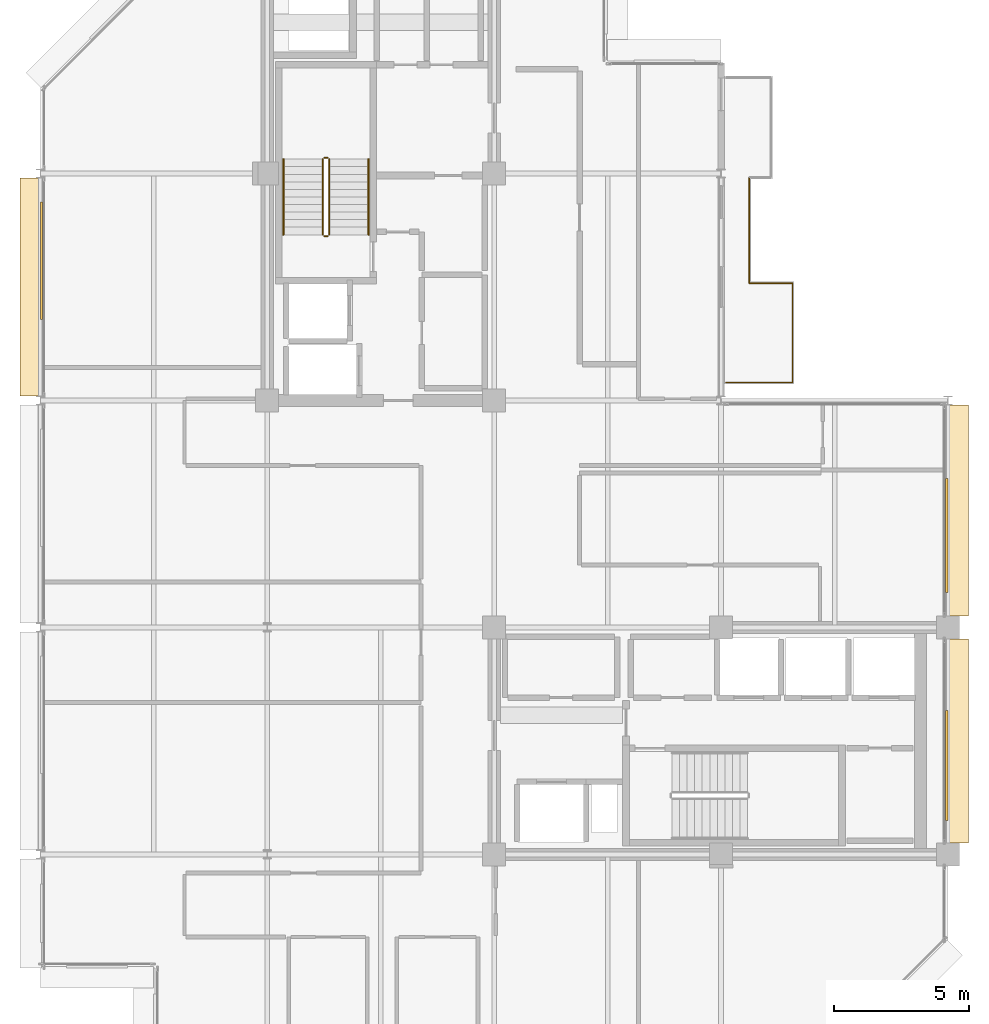
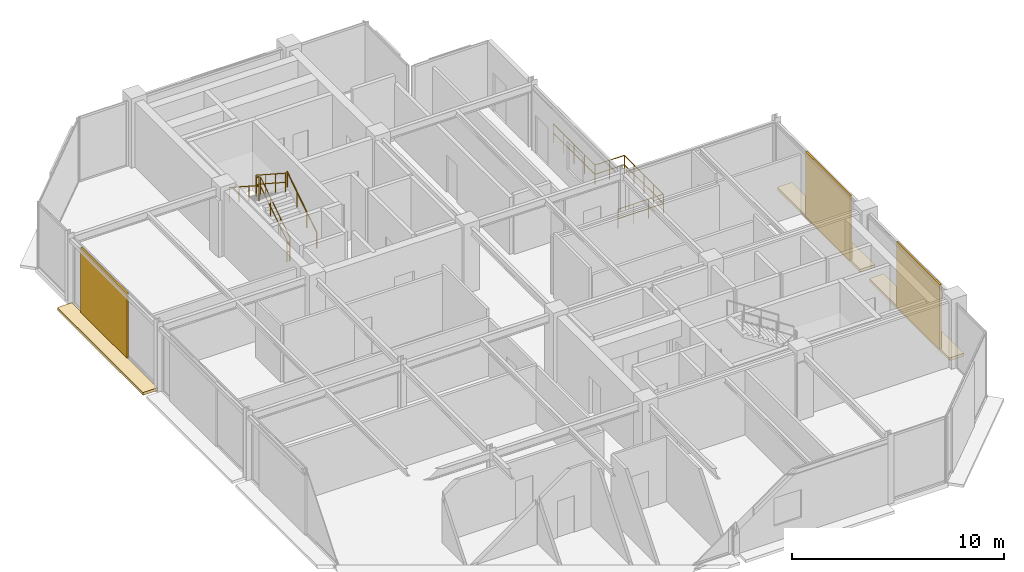
# One storey, part 24 of 25: 10 railings, 6 coverings.
"""IFC4 building model written with IfcOpenShell, lengths in metres."""

from ifc_helpers import new_model, si_unit, direction, frame, origin, origin_2d, place, context, subcontext, project, spatial, polyline, rectangle, circle, outline, extrude, material, layer, layer_set, type_object, element, save


model = new_model("IFC4")

# Units and contexts
model_context = context("Model", 3, precision=1e-05, world=origin(), true_north=direction((0.0, 1.0)))
body_context = subcontext(model_context, "Body", "Model", "MODEL_VIEW")
ifc_project = project(units=[si_unit("LENGTHUNIT", "METRE"), si_unit("AREAUNIT", "SQUARE_METRE"), si_unit("VOLUMEUNIT", "CUBIC_METRE"), si_unit("PLANEANGLEUNIT", "RADIAN"), si_unit("MASSUNIT", "GRAM", prefix="KILO")], contexts=[model_context])

# Site, building, storey
site_placement = place(None, origin())
site = spatial("IfcSite", under=ifc_project, at=site_placement, CompositionType="ELEMENT")
building_placement = place(site_placement, origin())
building = spatial("IfcBuilding", under=site, at=building_placement, Name="Nerrivon Quay Data Exchange", CompositionType="ELEMENT")
storey_placement = place(building_placement, frame((0.0, 0.0, 290.199951171875)))
storey = spatial("IfcBuildingStorey", under=building, at=storey_placement, Name="L69", CompositionType="ELEMENT", Elevation=290.199951171875)

# Coverings
ifc_material_1 = material(Name="Architectural terracotta ceramic", Category="masonry")
ifc_layer_1 = layer(ifc_material_1, 0.159912109375)
ifc_layer_set_1 = layer_set([ifc_layer_1], Name="Architectural terracotta ceramic")
covering_type_1 = type_object("IfcCoveringType", Name="COV-BLD-TERR", PredefinedType="CLADDING", material=ifc_layer_set_1)
covering_1_placement = place(storey_placement, frame((0.0, 0.0, -0.159912109375)))
element("IfcCovering", 1, at=covering_1_placement, inside=storey, type_object=covering_type_1, Name="L69 Horizontal Terracotta SOLAR SCREEN Blade", PredefinedType="CLADDING", context=body_context, shape_type="SweptSolid", body=[
    extrude(outline(polyline([(0.0400390625, 25.363525390625), (0.0400390625, 33.4365234375), (-0.75, 33.4365234375), (-0.75, 25.363525390625), (0.0400390625, 25.363525390625)])), origin(), (0.0, 0.0, 1.0), 0.159912109375),
])
covering_2_placement = place(storey_placement, frame((0.0, 0.0, -0.159912109375)))
element("IfcCovering", 2, at=covering_2_placement, inside=storey, type_object=covering_type_1, Name="L69 Horizontal Terracotta SOLAR SCREEN Blade", PredefinedType="CLADDING", context=body_context, shape_type="SweptSolid", body=[
    extrude(outline(polyline([(33.56005859375, 25.03662109375), (33.56005859375, 17.22509765625), (34.35009765625, 17.22509765625), (34.35009765625, 25.03662109375), (33.56005859375, 25.03662109375)])), origin(), (0.0, 0.0, 1.0), 0.159912109375),
])
covering_3_placement = place(storey_placement, frame((0.0, 0.0, -0.159912109375)))
element("IfcCovering", 3, at=covering_3_placement, inside=storey, type_object=covering_type_1, Name="L69 Horizontal Terracotta SOLAR SCREEN Blade", PredefinedType="CLADDING", context=body_context, shape_type="SweptSolid", body=[
    extrude(outline(polyline([(33.56005859375, 16.375), (33.56005859375, 8.824951171875), (34.35009765625, 8.824951171875), (34.35009765625, 16.375), (33.56005859375, 16.375)])), origin(), (0.0, 0.0, 1.0), 0.159912109375),
])
ifc_layer_2 = layer(ifc_material_1, 0.090087890625)
ifc_layer_set_2 = layer_set([ifc_layer_2], Name="Architectural terracotta ceramic")
covering_type_2 = type_object("IfcCoveringType", Name="COV-SCR-TERR", PredefinedType="CLADDING", material=ifc_layer_set_2)
covering_4_placement = place(storey_placement, frame((0.044921875, 30.368896484375, 0.0), z_axis=(0.0, 0.0, 1.0), x_axis=(0.0, 1.0, 0.0)))
element("IfcCovering", 4, at=covering_4_placement, inside=storey, type_object=covering_type_2, Name="L69 Perforated Terracotta SOLAR SCREEN Cassette", PredefinedType="CLADDING", context=body_context, shape_type="SweptSolid", body=[
    extrude(rectangle(XDim=4.35888671875, YDim=0.090087890625, at=origin_2d()), origin(), (0.0, 0.0, 1.0), 3.72509765625),
])
covering_5_placement = place(storey_placement, frame((33.554931640625, 20.193359375, 0.0), z_axis=(0.0, 0.0, 1.0), x_axis=(0.0, -1.0, 0.0)))
element("IfcCovering", 5, at=covering_5_placement, inside=storey, type_object=covering_type_2, Name="L69 Perforated Terracotta SOLAR SCREEN Cassette", PredefinedType="CLADDING", context=body_context, shape_type="SweptSolid", body=[
    extrude(rectangle(XDim=4.218017578125, YDim=0.090087890625, at=origin_2d()), origin(), (0.0, 0.0, 1.0), 3.72509765625),
])
covering_6_placement = place(storey_placement, frame((33.554931640625, 11.694091796875, 0.0), z_axis=(0.0, 0.0, 1.0), x_axis=(0.0, -1.0, 0.0)))
element("IfcCovering", 6, at=covering_6_placement, inside=storey, type_object=covering_type_2, Name="L69 Perforated Terracotta SOLAR SCREEN Cassette", PredefinedType="CLADDING", context=body_context, shape_type="SweptSolid", body=[
    extrude(rectangle(XDim=4.076904296875, YDim=0.090087890625, at=origin_2d()), origin(), (0.0, 0.0, 1.0), 3.72509765625),
])

# Railings
ifc_material_2 = material(Name="Steel Grade C350L0 (350 MPa)", Category="steel")
railing_type_1 = type_object("IfcRailingType", Name="RAIL-GUARD-GR2", PredefinedType="BALUSTRADE", material=ifc_material_2)
railing_1_placement = place(storey_placement, frame((26.239990234375, 29.5400390625, 0.0)))
element("IfcRailing", 7, at=railing_1_placement, inside=storey, type_object=railing_type_1, Name="L69 Verandah Balcony Guard 1.1 1", PredefinedType="BALUSTRADE", context=body_context, shape_type="SweptSolid", body=[
    extrude(circle(Radius=0.02392578125, at=origin_2d()), frame((0.0, 0.0, 1.09619140625), z_axis=(1.0, 0.0, 0.0), x_axis=(0.0, 1.0, 0.0)), (0.0, 0.0, 1.0), 1.60009765625),
    extrude(circle(Radius=0.02392578125, at=origin_2d()), frame((0.0, 0.0, 0.56005859375), z_axis=(1.0, 0.0, 0.0), x_axis=(0.0, 1.0, 0.0)), (0.0, 0.0, 1.0), 1.60009765625),
    extrude(circle(Radius=0.02099609375, at=origin_2d()), origin(), (0.0, 0.0, 1.0), 1.072021484375),
    extrude(circle(Radius=0.02099609375, at=origin_2d()), frame((0.800048828125, 0.0, 0.0)), (0.0, 0.0, 1.0), 1.072021484375),
    extrude(circle(Radius=0.02099609375, at=origin_2d()), frame((1.60009765625, 0.0, 0.0)), (0.0, 0.0, 1.0), 1.072021484375),
])
railing_2_placement = place(storey_placement, frame((27.840087890625, 29.5400390625, 0.0)))
element("IfcRailing", 8, at=railing_2_placement, inside=storey, type_object=railing_type_1, Name="L69 Verandah Balcony Guard 1.2 1", PredefinedType="BALUSTRADE", context=body_context, shape_type="SweptSolid", body=[
    extrude(circle(Radius=0.02392578125, at=origin_2d()), frame((0.0, 0.0, 1.09619140625), z_axis=(0.0, -1.0, 0.0), x_axis=(1.0, 0.0, 0.0)), (0.0, 0.0, 1.0), 3.679931640625),
    extrude(circle(Radius=0.02392578125, at=origin_2d()), frame((0.0, 0.0, 0.56005859375), z_axis=(0.0, -1.0, 0.0), x_axis=(1.0, 0.0, 0.0)), (0.0, 0.0, 1.0), 3.679931640625),
    extrude(circle(Radius=0.02099609375, at=origin_2d()), origin(), (0.0, 0.0, 1.0), 1.072021484375),
    extrude(circle(Radius=0.02099609375, at=origin_2d()), frame((0.0, -0.919921875, 0.0)), (0.0, 0.0, 1.0), 1.072021484375),
    extrude(circle(Radius=0.02099609375, at=origin_2d()), frame((0.0, -1.83984375, 0.0)), (0.0, 0.0, 1.0), 1.072021484375),
    extrude(circle(Radius=0.02099609375, at=origin_2d()), frame((0.0, -2.760009765625, 0.0)), (0.0, 0.0, 1.0), 1.072021484375),
    extrude(circle(Radius=0.02099609375, at=origin_2d()), frame((0.0, -3.679931640625, 0.0)), (0.0, 0.0, 1.0), 1.072021484375),
])
railing_3_placement = place(storey_placement, frame((27.840087890625, 25.860107421875, 0.0)))
element("IfcRailing", 9, at=railing_3_placement, inside=storey, type_object=railing_type_1, Name="L69 Verandah Balcony Guard 1.3 1", PredefinedType="BALUSTRADE", context=body_context, shape_type="SweptSolid", body=[
    extrude(circle(Radius=0.02392578125, at=origin_2d()), frame((0.0, 0.0, 1.09619140625), z_axis=(-1.0, 0.0, 0.0), x_axis=(0.0, -1.0, 0.0)), (0.0, 0.0, 1.0), 2.460205078125),
    extrude(circle(Radius=0.02392578125, at=origin_2d()), frame((0.0, 0.0, 0.56005859375), z_axis=(-1.0, 0.0, 0.0), x_axis=(0.0, -1.0, 0.0)), (0.0, 0.0, 1.0), 2.460205078125),
    extrude(circle(Radius=0.02099609375, at=origin_2d()), origin(), (0.0, 0.0, 1.0), 1.072021484375),
    extrude(circle(Radius=0.02099609375, at=origin_2d()), frame((-0.820068359375, 0.0, 0.0)), (0.0, 0.0, 1.0), 1.072021484375),
    extrude(circle(Radius=0.02099609375, at=origin_2d()), frame((-1.64013671875, 0.0, 0.0)), (0.0, 0.0, 1.0), 1.072021484375),
    extrude(circle(Radius=0.02099609375, at=origin_2d()), frame((-2.460205078125, 0.0, 0.0)), (0.0, 0.0, 1.0), 1.072021484375),
])
railing_4_placement = place(storey_placement, frame((26.239990234375, 33.4599609375, 0.0)))
element("IfcRailing", 10, at=railing_4_placement, inside=storey, type_object=railing_type_1, Name="L69 Verandah Balcony Guard 1.7 1", PredefinedType="BALUSTRADE", context=body_context, shape_type="SweptSolid", body=[
    extrude(circle(Radius=0.02392578125, at=origin_2d()), frame((0.0, 0.0, 1.09619140625), z_axis=(0.0, -1.0, 0.0), x_axis=(1.0, 0.0, 0.0)), (0.0, 0.0, 1.0), 3.919921875),
    extrude(circle(Radius=0.02392578125, at=origin_2d()), frame((0.0, 0.0, 0.56005859375), z_axis=(0.0, -1.0, 0.0), x_axis=(1.0, 0.0, 0.0)), (0.0, 0.0, 1.0), 3.919921875),
    extrude(circle(Radius=0.02099609375, at=origin_2d()), origin(), (0.0, 0.0, 1.0), 1.072021484375),
    extrude(circle(Radius=0.02099609375, at=origin_2d()), frame((0.0, -0.97998046875, 0.0)), (0.0, 0.0, 1.0), 1.072021484375),
    extrude(circle(Radius=0.02099609375, at=origin_2d()), frame((0.0, -1.9599609375, 0.0)), (0.0, 0.0, 1.0), 1.072021484375),
    extrude(circle(Radius=0.02099609375, at=origin_2d()), frame((0.0, -2.93994140625, 0.0)), (0.0, 0.0, 1.0), 1.072021484375),
    extrude(circle(Radius=0.02099609375, at=origin_2d()), frame((0.0, -3.919921875, 0.0)), (0.0, 0.0, 1.0), 1.072021484375),
])
railing_type_2 = type_object("IfcRailingType", Name="RAIL-HAND-HR1", PredefinedType="HANDRAIL", material=ifc_material_2)
railing_5_placement = place(storey_placement, frame((12.14990234375, 31.330078125, 0.181884765625)))
element("IfcRailing", 11, at=railing_5_placement, inside=storey, type_object=railing_type_2, Name="L69 ST01 stair handrail 1", PredefinedType="HANDRAIL", context=body_context, shape_type="SweptSolid", body=[
    extrude(circle(Radius=0.02392578125, at=origin_2d()), frame((0.0, 0.0, 0.8759765625), z_axis=(0.0, 0.83868413941, 0.544618136222), x_axis=(-1.0, 0.0, 0.0)), (0.0, 0.0, 1.0), 3.33837890625),
    extrude(circle(Radius=0.02099609375, at=origin_2d()), origin(), (0.0, 0.0, 1.0), 0.851806640625),
    extrude(circle(Radius=0.02099609375, at=origin_2d()), frame((0.0, 0.933349609375, 0.60595703125)), (0.0, 0.0, 1.0), 0.851806640625),
    extrude(circle(Radius=0.02099609375, at=origin_2d()), frame((0.0, 1.866455078125, 1.212158203125)), (0.0, 0.0, 1.0), 0.851806640625),
    extrude(circle(Radius=0.02099609375, at=origin_2d()), frame((0.0, 2.7998046875, 1.818115234375)), (0.0, 0.0, 1.0), 0.851806640625),
])
railing_6_placement = place(storey_placement, frame((9.0, 34.1298828125, 2.181884765625)))
element("IfcRailing", 12, at=railing_6_placement, inside=storey, type_object=railing_type_2, Name="L69 ST01 stair handrail 2", PredefinedType="HANDRAIL", context=body_context, shape_type="SweptSolid", body=[
    extrude(circle(Radius=0.02392578125, at=origin_2d()), frame((0.0, 0.0, 0.8759765625), z_axis=(0.0, -0.83868413941, 0.544618136222), x_axis=(1.0, 0.0, 0.0)), (0.0, 0.0, 1.0), 3.33837890625),
    extrude(circle(Radius=0.02099609375, at=origin_2d()), origin(), (0.0, 0.0, 1.0), 0.851806640625),
    extrude(circle(Radius=0.02099609375, at=origin_2d()), frame((0.0, -0.933349609375, 0.60595703125)), (0.0, 0.0, 1.0), 0.851806640625),
    extrude(circle(Radius=0.02099609375, at=origin_2d()), frame((0.0, -1.866455078125, 1.212158203125)), (0.0, 0.0, 1.0), 0.851806640625),
    extrude(circle(Radius=0.02099609375, at=origin_2d()), frame((0.0, -2.7998046875, 1.818115234375)), (0.0, 0.0, 1.0), 0.851806640625),
])
railing_type_3 = type_object("IfcRailingType", Name="RAIL-STAIR-GR1", PredefinedType="BALUSTRADE", material=ifc_material_2)
railing_7_placement = place(storey_placement, frame((10.699951171875, 31.330078125, 0.181884765625)))
element("IfcRailing", 13, at=railing_7_placement, inside=storey, type_object=railing_type_3, Name="L69 ST01 stair guard 1", PredefinedType="BALUSTRADE", context=body_context, shape_type="SweptSolid", body=[
    extrude(circle(Radius=0.02392578125, at=origin_2d()), frame((0.0, 0.0, 1.076171875), z_axis=(0.0, 0.83868413941, 0.544618136222), x_axis=(-1.0, 0.0, 0.0)), (0.0, 0.0, 1.0), 3.33837890625),
    extrude(circle(Radius=0.02392578125, at=origin_2d()), frame((0.0, 0.0, 0.550048828125), z_axis=(0.0, 0.83868413941, 0.544618136222), x_axis=(-1.0, 0.0, 0.0)), (0.0, 0.0, 1.0), 3.33837890625),
    extrude(circle(Radius=0.02099609375, at=origin_2d()), origin(), (0.0, 0.0, 1.0), 1.052001953125),
    extrude(circle(Radius=0.02099609375, at=origin_2d()), frame((0.0, 0.933349609375, 0.60595703125)), (0.0, 0.0, 1.0), 1.052001953125),
    extrude(circle(Radius=0.02099609375, at=origin_2d()), frame((0.0, 1.866455078125, 1.212158203125)), (0.0, 0.0, 1.0), 1.052001953125),
    extrude(circle(Radius=0.02099609375, at=origin_2d()), frame((0.0, 2.7998046875, 1.818115234375)), (0.0, 0.0, 1.0), 1.052001953125),
])
railing_8_placement = place(storey_placement, frame((10.64990234375, 34.179931640625, 2.0)))
element("IfcRailing", 14, at=railing_8_placement, inside=storey, type_object=railing_type_3, Name="L69 ST01 stair guard 2", PredefinedType="BALUSTRADE", context=body_context, shape_type="SweptSolid", body=[
    extrude(circle(Radius=0.02392578125, at=origin_2d()), frame((0.0, 0.0, 1.076171875), z_axis=(-1.0, 0.0, 0.0), x_axis=(0.0, -1.0, 0.0)), (0.0, 0.0, 1.0), 0.14990234375),
    extrude(circle(Radius=0.02392578125, at=origin_2d()), frame((0.0, 0.0, 0.550048828125), z_axis=(-1.0, 0.0, 0.0), x_axis=(0.0, -1.0, 0.0)), (0.0, 0.0, 1.0), 0.14990234375),
    extrude(circle(Radius=0.02099609375, at=origin_2d()), origin(), (0.0, 0.0, 1.0), 1.052001953125),
    extrude(circle(Radius=0.02099609375, at=origin_2d()), frame((-0.14990234375, 0.0, 0.0)), (0.0, 0.0, 1.0), 1.052001953125),
])
railing_9_placement = place(storey_placement, frame((10.449951171875, 34.1298828125, 2.181884765625)))
element("IfcRailing", 15, at=railing_9_placement, inside=storey, type_object=railing_type_3, Name="L69 ST01 stair guard 3", PredefinedType="BALUSTRADE", context=body_context, shape_type="SweptSolid", body=[
    extrude(circle(Radius=0.02392578125, at=origin_2d()), frame((0.0, 0.0, 1.076171875), z_axis=(0.0, -0.83868413941, 0.544618136222), x_axis=(1.0, 0.0, 0.0)), (0.0, 0.0, 1.0), 3.33837890625),
    extrude(circle(Radius=0.02392578125, at=origin_2d()), frame((0.0, 0.0, 0.550048828125), z_axis=(0.0, -0.83868413941, 0.544618136222), x_axis=(1.0, 0.0, 0.0)), (0.0, 0.0, 1.0), 3.33837890625),
    extrude(circle(Radius=0.02099609375, at=origin_2d()), origin(), (0.0, 0.0, 1.0), 1.052001953125),
    extrude(circle(Radius=0.02099609375, at=origin_2d()), frame((0.0, -0.933349609375, 0.60595703125)), (0.0, 0.0, 1.0), 1.052001953125),
    extrude(circle(Radius=0.02099609375, at=origin_2d()), frame((0.0, -1.866455078125, 1.212158203125)), (0.0, 0.0, 1.0), 1.052001953125),
    extrude(circle(Radius=0.02099609375, at=origin_2d()), frame((0.0, -2.7998046875, 1.818115234375)), (0.0, 0.0, 1.0), 1.052001953125),
])
railing_10_placement = place(storey_placement, frame((10.64990234375, 31.280029296875, 0.0)))
element("IfcRailing", 16, at=railing_10_placement, inside=storey, type_object=railing_type_3, Name="L69 ST01 stair guard 4", PredefinedType="BALUSTRADE", context=body_context, shape_type="SweptSolid", body=[
    extrude(circle(Radius=0.02392578125, at=origin_2d()), frame((0.0, 0.0, 1.076171875), z_axis=(-1.0, 0.0, 0.0), x_axis=(0.0, -1.0, 0.0)), (0.0, 0.0, 1.0), 0.14990234375),
    extrude(circle(Radius=0.02392578125, at=origin_2d()), frame((0.0, 0.0, 0.550048828125), z_axis=(-1.0, 0.0, 0.0), x_axis=(0.0, -1.0, 0.0)), (0.0, 0.0, 1.0), 0.14990234375),
    extrude(circle(Radius=0.02099609375, at=origin_2d()), origin(), (0.0, 0.0, 1.0), 1.052001953125),
    extrude(circle(Radius=0.02099609375, at=origin_2d()), frame((-0.14990234375, 0.0, 0.0)), (0.0, 0.0, 1.0), 1.052001953125),
])

save(model, "model.ifc")
